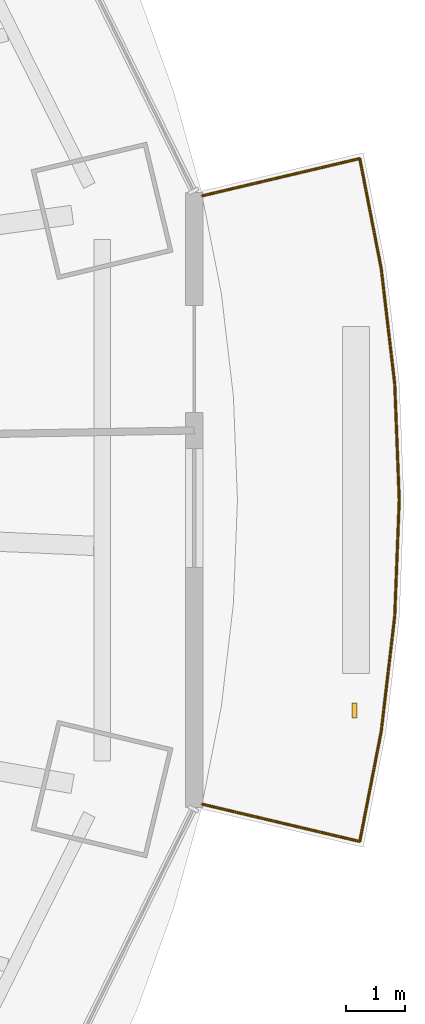
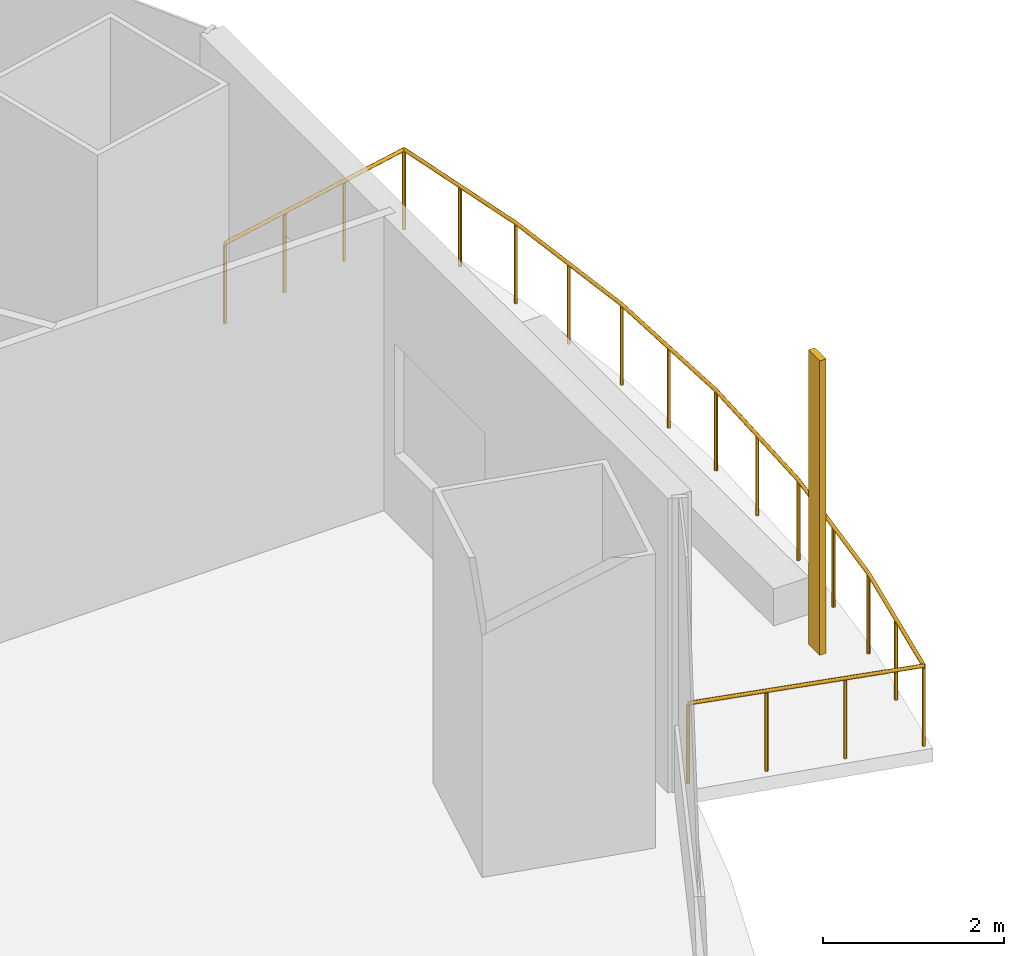
# One storey, part 20 of 21: 1 railing, 1 shading device.
"""IFC4 building model written with IfcOpenShell, lengths in metres."""

from ifc_helpers import new_model, si_unit, direction, frame, origin, origin_2d, place, context, subcontext, project, spatial, rectangle, circle, extrude, material, material_profile, profile_set, type_object, element, save


model = new_model("IFC4")

# Units and contexts
model_context = context("Model", 3, precision=1e-05, world=origin(), true_north=direction((0.0, 1.0)))
body_context = subcontext(model_context, "Body", "Model", "MODEL_VIEW")
ifc_project = project(units=[si_unit("LENGTHUNIT", "METRE"), si_unit("AREAUNIT", "SQUARE_METRE"), si_unit("VOLUMEUNIT", "CUBIC_METRE"), si_unit("PLANEANGLEUNIT", "RADIAN"), si_unit("MASSUNIT", "GRAM", prefix="KILO")], contexts=[model_context])

# Site, building, storey
site_placement = place(None, origin())
site = spatial("IfcSite", under=ifc_project, at=site_placement, CompositionType="ELEMENT")
building_placement = place(site_placement, origin())
building = spatial("IfcBuilding", under=site, at=building_placement, Name="Marenthal Gate Tower", CompositionType="ELEMENT")
storey_placement = place(building_placement, frame((0.0, 0.0, 206.699951171875)))
storey = spatial("IfcBuildingStorey", under=building, at=storey_placement, Name="L45", CompositionType="ELEMENT", Elevation=206.699951171875)

# Railing
ifc_material_1 = material(Name="Stainless steel", Category="steel")
railing_type = type_object("IfcRailingType", Name="Balcony guard 1100", PredefinedType="GUARDRAIL", material=ifc_material_1)
railing_placement = place(storey_placement, frame((32.9013671875, 4.514404296875, 0.0)))
element("IfcRailing", 1, at=railing_placement, inside=storey, type_object=railing_type, Name="Balcony guard L45 bay 16", PredefinedType="GUARDRAIL", context=body_context, shape_type="SweptSolid", body=[
    extrude(circle(Radius=0.02392578125, at=origin_2d()), frame((0.0, 0.0, 1.076171875), z_axis=(0.973011948097, 0.230284879064, -0.014718129449), x_axis=(-0.230309825657, 0.973117353769, 0.0)), (0.0, 0.0, 1.0), 2.720458984375),
    extrude(circle(Radius=0.02392578125, at=origin_2d()), frame((2.64697265625, 0.62646484375, 1.0361328125), z_axis=(0.191345653043, -0.98152271551, 0.0), x_axis=(0.98152271551, 0.191345653043, 0.0)), (0.0, 0.0, 1.0), 1.880615234375),
    extrude(circle(Radius=0.02392578125, at=origin_2d()), frame((3.0068359375, -1.219482421875, 1.0361328125), z_axis=(0.116442969982, -0.993197379548, 0.0), x_axis=(0.993197379548, 0.116442969982, 0.0)), (0.0, 0.0, 1.0), 1.956298828125),
    extrude(circle(Radius=0.02392578125, at=origin_2d()), frame((3.234619140625, -3.162353515625, 1.0361328125), z_axis=(0.038865061228, -0.999244468094, 0.0), x_axis=(0.999244468094, 0.038865061228, 0.0)), (0.0, 0.0, 1.0), 1.95361328125),
    extrude(circle(Radius=0.02392578125, at=origin_2d()), frame((3.310546875, -5.114501953125, 1.0361328125), z_axis=(-0.038865061228, -0.999244468094, 0.0), x_axis=(0.999244468094, -0.038865061228, 0.0)), (0.0, 0.0, 1.0), 1.95361328125),
    extrude(circle(Radius=0.02392578125, at=origin_2d()), frame((3.234619140625, -7.066650390625, 1.0361328125), z_axis=(-0.116457405552, -0.993195687008, 0.0), x_axis=(0.993195687008, -0.116457405552, 0.0)), (0.0, 0.0, 1.0), 1.9560546875),
    extrude(circle(Radius=0.02392578125, at=origin_2d()), frame((3.0068359375, -9.00927734375, 1.0361328125), z_axis=(-0.191345653043, -0.98152271551, 0.0), x_axis=(0.98152271551, -0.191345653043, 0.0)), (0.0, 0.0, 1.0), 1.880615234375),
    extrude(circle(Radius=0.02392578125, at=origin_2d()), frame((2.64697265625, -10.855224609375, 1.0361328125), z_axis=(-0.973011948097, 0.230284879064, 0.014718129449), x_axis=(-0.230309825657, -0.973117353769, 0.0)), (0.0, 0.0, 1.0), 2.720458984375),
    extrude(circle(Radius=0.02099609375, at=origin_2d()), origin(), (0.0, 0.0, 1.0), 1.052001953125),
    extrude(circle(Radius=0.02099609375, at=origin_2d()), frame((0.88232421875, 0.208740234375, -0.013427734375)), (0.0, 0.0, 1.0), 1.052001953125),
    extrude(circle(Radius=0.02099609375, at=origin_2d()), frame((1.7646484375, 0.417724609375, -0.026611328125)), (0.0, 0.0, 1.0), 1.052001953125),
    extrude(circle(Radius=0.02099609375, at=origin_2d()), frame((2.64697265625, 0.62646484375, -0.0400390625)), (0.0, 0.0, 1.0), 1.052001953125),
    extrude(circle(Radius=0.02099609375, at=origin_2d()), frame((2.826904296875, -0.29638671875, -0.0400390625)), (0.0, 0.0, 1.0), 1.052001953125),
    extrude(circle(Radius=0.02099609375, at=origin_2d()), frame((3.0068359375, -1.219482421875, -0.0400390625)), (0.0, 0.0, 1.0), 1.052001953125),
    extrude(circle(Radius=0.02099609375, at=origin_2d()), frame((3.12060546875, -2.19091796875, -0.0400390625)), (0.0, 0.0, 1.0), 1.052001953125),
    extrude(circle(Radius=0.02099609375, at=origin_2d()), frame((3.234619140625, -3.162353515625, -0.0400390625)), (0.0, 0.0, 1.0), 1.052001953125),
    extrude(circle(Radius=0.02099609375, at=origin_2d()), frame((3.2724609375, -4.138427734375, -0.0400390625)), (0.0, 0.0, 1.0), 1.052001953125),
    extrude(circle(Radius=0.02099609375, at=origin_2d()), frame((3.310546875, -5.114501953125, -0.0400390625)), (0.0, 0.0, 1.0), 1.052001953125),
    extrude(circle(Radius=0.02099609375, at=origin_2d()), frame((3.2724609375, -6.090576171875, -0.0400390625)), (0.0, 0.0, 1.0), 1.052001953125),
    extrude(circle(Radius=0.02099609375, at=origin_2d()), frame((3.234619140625, -7.066650390625, -0.0400390625)), (0.0, 0.0, 1.0), 1.052001953125),
    extrude(circle(Radius=0.02099609375, at=origin_2d()), frame((3.12060546875, -8.0380859375, -0.0400390625)), (0.0, 0.0, 1.0), 1.052001953125),
    extrude(circle(Radius=0.02099609375, at=origin_2d()), frame((3.0068359375, -9.00927734375, -0.0400390625)), (0.0, 0.0, 1.0), 1.052001953125),
    extrude(circle(Radius=0.02099609375, at=origin_2d()), frame((2.826904296875, -9.93212890625, -0.0400390625)), (0.0, 0.0, 1.0), 1.052001953125),
    extrude(circle(Radius=0.02099609375, at=origin_2d()), frame((2.64697265625, -10.855224609375, -0.0400390625)), (0.0, 0.0, 1.0), 1.052001953125),
    extrude(circle(Radius=0.02099609375, at=origin_2d()), frame((1.7646484375, -10.646484375, -0.026611328125)), (0.0, 0.0, 1.0), 1.052001953125),
    extrude(circle(Radius=0.02099609375, at=origin_2d()), frame((0.88232421875, -10.4375, -0.013427734375)), (0.0, 0.0, 1.0), 1.052001953125),
    extrude(circle(Radius=0.02099609375, at=origin_2d()), frame((0.0, -10.228759765625, 0.0)), (0.0, 0.0, 1.0), 1.052001953125),
])

# Shading device
ifc_material_2 = material(Name="Terracotta", Category="masonry")
ifc_material_profile = material_profile(ifc_material_2, rectangle(XDim=0.25, YDim=0.080078125, at=origin_2d()), Name="Terracotta baguette 250x80")
ifc_profile_set = profile_set([ifc_material_profile], Name="Terracotta")
shading_device_type = type_object("IfcShadingDeviceType", Name="Terracotta BAGUETTE SCREEN 250x80", PredefinedType="USERDEFINED", material=ifc_profile_set)
shading_device_placement = place(storey_placement, frame((35.4599609375, -4.1376953125, -0.0400390625), z_axis=(0.0, 0.0, 1.0), x_axis=(0.0, 1.0, 0.0)))
element("IfcShadingDevice", 2, at=shading_device_placement, inside=storey, type_object=shading_device_type, Name="Terracotta BAGUETTE L45 bay 16L", ObjectType="BAGUETTE SCREEN", PredefinedType="USERDEFINED", context=body_context, shape_type="SweptSolid", body=[
    extrude(rectangle(XDim=0.25, YDim=0.080078125, at=origin_2d()), origin(), (0.0, 0.0, 1.0), 3.969970703125),
])

save(model, "model.ifc")
